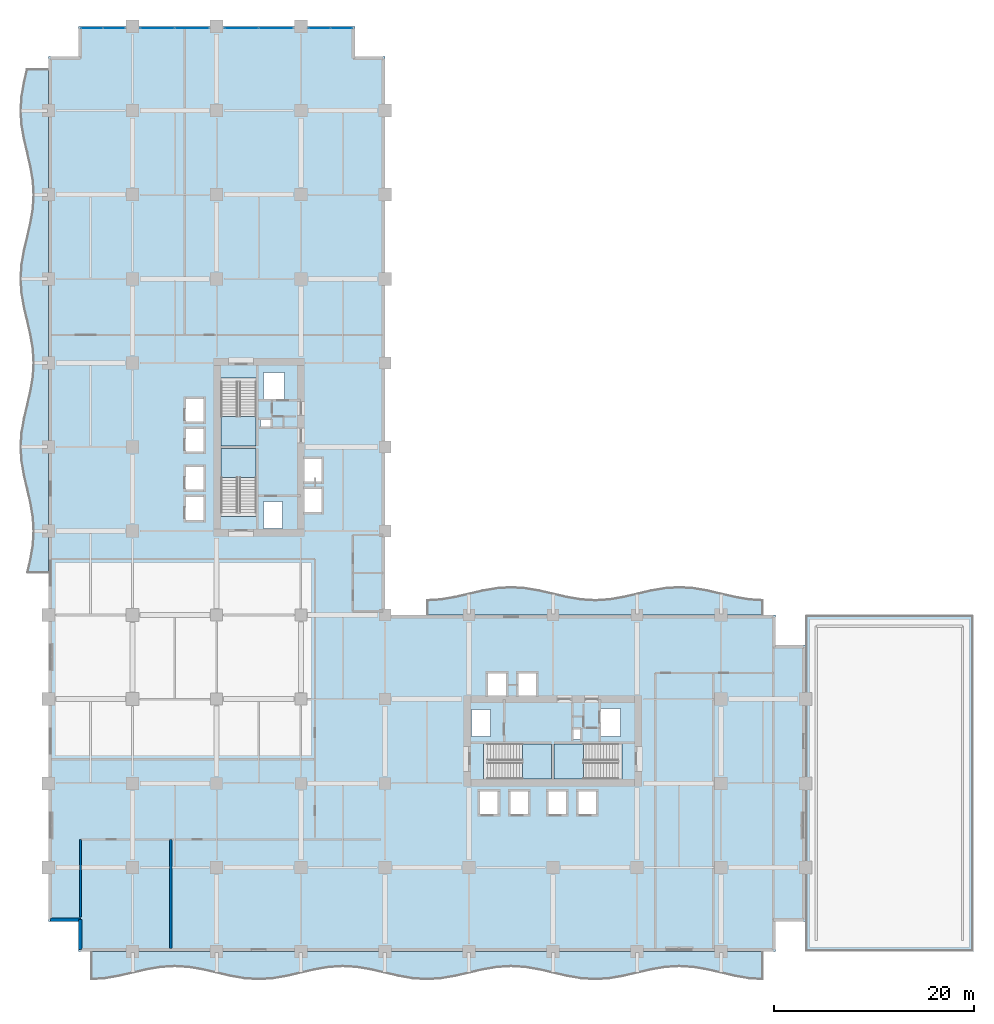
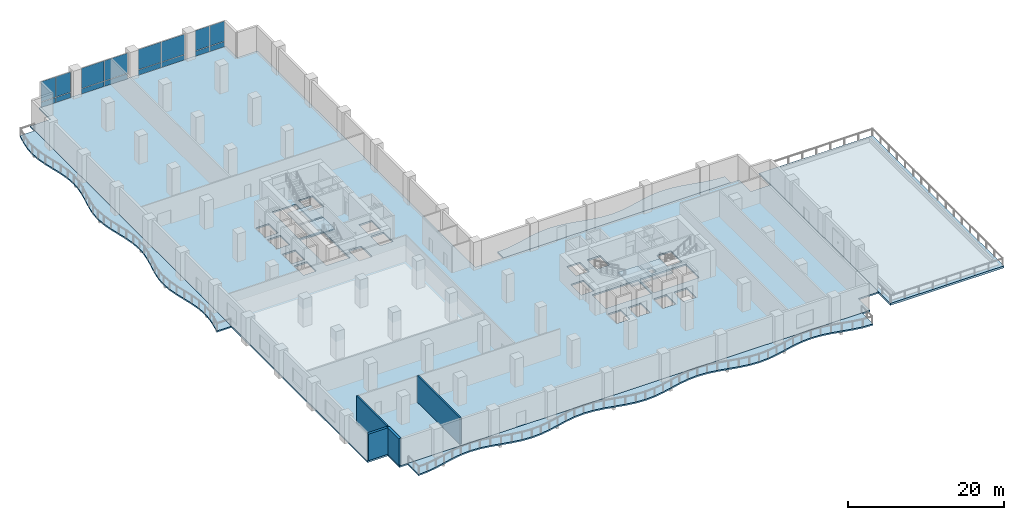
# One storey, part 6 of 21: 16 plates, 9 slabs, 4 walls, 8 elements without a shape of their own.
"""IFC4 building model written with IfcOpenShell, lengths in metres."""

from ifc_helpers import new_model, si_unit, direction, frame, frame_2d, origin, origin_2d, place, context, subcontext, project, spatial, polyline, rectangle, outline, extrude, material, layer, layer_set, type_object, element, aggregate, save


model = new_model("IFC4")

# Units and contexts
model_context = context("Model", 3, precision=1e-05, world=origin(), true_north=direction((0.0, 1.0)))
body_context = subcontext(model_context, "Body", "Model", "MODEL_VIEW")
ifc_project = project(units=[si_unit("LENGTHUNIT", "METRE"), si_unit("AREAUNIT", "SQUARE_METRE"), si_unit("VOLUMEUNIT", "CUBIC_METRE"), si_unit("PLANEANGLEUNIT", "RADIAN"), si_unit("MASSUNIT", "GRAM", prefix="KILO")], contexts=[model_context])

# Site, building, storey
site_placement = place(None, origin())
site = spatial("IfcSite", under=ifc_project, at=site_placement, CompositionType="ELEMENT")
building_placement = place(site_placement, origin())
building = spatial("IfcBuilding", under=site, at=building_placement, Name="Koriwani Terraces Tower", CompositionType="ELEMENT")
storey_placement = place(building_placement, frame((0.0, 0.0, 85.199951171875)))
storey = spatial("IfcBuildingStorey", under=building, at=storey_placement, Name="L20", CompositionType="ELEMENT", Elevation=85.199951171875)

# Curtain wall, plates
ifc_material_1 = material(Name="Anodised Bronze Aluminium", Category="aluminium")
ifc_layer_1 = layer(ifc_material_1, 0.179931640625, Name="Anodised Bronze Aluminium")
ifc_layer_set_1 = layer_set([ifc_layer_1], Name="Anodised Bronze Aluminium")
curtain_wall_type = type_object("IfcCurtainWallType", Name="CW_HOTEL_ZONE2", PredefinedType="NOTDEFINED", material=ifc_layer_set_1)
curtain_wall_1_placement = place(storey_placement, origin())
curtain_wall_1 = element("IfcCurtainWall", 1, at=curtain_wall_1_placement, inside=storey, type_object=curtain_wall_type, Name="L20 Unitised Curtain Wall (N_TIP) Bay 1", PredefinedType="NOTDEFINED")
ifc_material_2 = material(Name="Tempered Laminated Low-E Glass", Category="glass")
ifc_layer_2 = layer(ifc_material_2, 0.028076171875, Name="Tempered Laminated Low-E Glass")
ifc_layer_set_2 = layer_set([ifc_layer_2], Name="Tempered Laminated Low-E Glass")
plate_type = type_object("IfcPlateType", Name="CW_PANEL_VISION_28", PredefinedType="CURTAIN_PANEL", material=ifc_layer_set_2)
plate_1_placement = place(storey_placement, frame((4.322509765625, 92.22509765625, 0.06494140625), z_axis=(0.0, 0.0, 1.0), x_axis=(1.0, 0.0, 0.0)))
plate_1 = element("IfcPlate", 2, at=plate_1_placement, type_object=plate_type, Name="CW-Z2 panel 1.1", PredefinedType="CURTAIN_PANEL", context=body_context, shape_type="SweptSolid", body=[
    extrude(rectangle(XDim=2.14501953125, YDim=0.028076171875, at=origin_2d()), origin(), (0.0, 0.0, 1.0), 0.802490234375),
])
plate_2_placement = place(storey_placement, frame((4.322509765625, 92.22509765625, 0.9326171875), z_axis=(0.0, 0.0, 1.0), x_axis=(1.0, 0.0, 0.0)))
plate_2 = element("IfcPlate", 3, at=plate_2_placement, type_object=plate_type, Name="CW-Z2 panel 1.2", PredefinedType="CURTAIN_PANEL", context=body_context, shape_type="SweptSolid", body=[
    extrude(rectangle(XDim=2.14501953125, YDim=0.028076171875, at=origin_2d()), origin(), (0.0, 0.0, 1.0), 3.152587890625),
])
plate_3_placement = place(storey_placement, frame((6.54248046875, 92.22509765625, 0.06494140625), z_axis=(0.0, 0.0, 1.0), x_axis=(1.0, 0.0, 0.0)))
plate_3 = element("IfcPlate", 4, at=plate_3_placement, type_object=plate_type, Name="CW-Z2 panel 2.1", PredefinedType="CURTAIN_PANEL", context=body_context, shape_type="SweptSolid", body=[
    extrude(rectangle(XDim=2.14501953125, YDim=0.028076171875, at=origin_2d()), origin(), (0.0, 0.0, 1.0), 0.802490234375),
])
plate_4_placement = place(storey_placement, frame((6.54248046875, 92.22509765625, 0.9326171875), z_axis=(0.0, 0.0, 1.0), x_axis=(1.0, 0.0, 0.0)))
plate_4 = element("IfcPlate", 5, at=plate_4_placement, type_object=plate_type, Name="CW-Z2 panel 2.2", PredefinedType="CURTAIN_PANEL", context=body_context, shape_type="SweptSolid", body=[
    extrude(rectangle(XDim=2.14501953125, YDim=0.028076171875, at=origin_2d()), origin(), (0.0, 0.0, 1.0), 3.152587890625),
])
aggregate(curtain_wall_1, [plate_1, plate_2, plate_3, plate_4])

curtain_wall_2_placement = place(storey_placement, origin())
curtain_wall_2 = element("IfcCurtainWall", 6, at=curtain_wall_2_placement, inside=storey, type_object=curtain_wall_type, Name="L20 Unitised Curtain Wall (N_TIP) Bay 2", PredefinedType="NOTDEFINED")
plate_5_placement = place(storey_placement, frame((10.873779296875, 92.22509765625, 0.06494140625), z_axis=(0.0, 0.0, 1.0), x_axis=(1.0, 0.0, 0.0)))
plate_5 = element("IfcPlate", 7, at=plate_5_placement, type_object=plate_type, Name="CW-Z2 panel 1.1", PredefinedType="CURTAIN_PANEL", context=body_context, shape_type="SweptSolid", body=[
    extrude(rectangle(XDim=3.37744140625, YDim=0.028076171875, at=origin_2d()), origin(), (0.0, 0.0, 1.0), 0.802490234375),
])
plate_6_placement = place(storey_placement, frame((10.873779296875, 92.22509765625, 0.9326171875), z_axis=(0.0, 0.0, 1.0), x_axis=(1.0, 0.0, 0.0)))
plate_6 = element("IfcPlate", 8, at=plate_6_placement, type_object=plate_type, Name="CW-Z2 panel 1.2", PredefinedType="CURTAIN_PANEL", context=body_context, shape_type="SweptSolid", body=[
    extrude(rectangle(XDim=3.37744140625, YDim=0.028076171875, at=origin_2d()), origin(), (0.0, 0.0, 1.0), 3.152587890625),
])
plate_7_placement = place(storey_placement, frame((14.326171875, 92.22509765625, 0.06494140625), z_axis=(0.0, 0.0, 1.0), x_axis=(1.0, 0.0, 0.0)))
plate_7 = element("IfcPlate", 9, at=plate_7_placement, type_object=plate_type, Name="CW-Z2 panel 2.1", PredefinedType="CURTAIN_PANEL", context=body_context, shape_type="SweptSolid", body=[
    extrude(rectangle(XDim=3.37744140625, YDim=0.028076171875, at=origin_2d()), origin(), (0.0, 0.0, 1.0), 0.802490234375),
])
plate_8_placement = place(storey_placement, frame((14.326171875, 92.22509765625, 0.9326171875), z_axis=(0.0, 0.0, 1.0), x_axis=(1.0, 0.0, 0.0)))
plate_8 = element("IfcPlate", 10, at=plate_8_placement, type_object=plate_type, Name="CW-Z2 panel 2.2", PredefinedType="CURTAIN_PANEL", context=body_context, shape_type="SweptSolid", body=[
    extrude(rectangle(XDim=3.37744140625, YDim=0.028076171875, at=origin_2d()), origin(), (0.0, 0.0, 1.0), 3.152587890625),
])
aggregate(curtain_wall_2, [plate_5, plate_6, plate_7, plate_8])

curtain_wall_3_placement = place(storey_placement, origin())
curtain_wall_3 = element("IfcCurtainWall", 11, at=curtain_wall_3_placement, inside=storey, type_object=curtain_wall_type, Name="L20 Unitised Curtain Wall (N_TIP) Bay 3", PredefinedType="NOTDEFINED")
plate_9_placement = place(storey_placement, frame((19.273681640625, 92.22509765625, 0.06494140625), z_axis=(0.0, 0.0, 1.0), x_axis=(1.0, 0.0, 0.0)))
plate_9 = element("IfcPlate", 12, at=plate_9_placement, type_object=plate_type, Name="CW-Z2 panel 1.1", PredefinedType="CURTAIN_PANEL", context=body_context, shape_type="SweptSolid", body=[
    extrude(rectangle(XDim=3.37744140625, YDim=0.028076171875, at=origin_2d()), origin(), (0.0, 0.0, 1.0), 0.802490234375),
])
plate_10_placement = place(storey_placement, frame((19.273681640625, 92.22509765625, 0.9326171875), z_axis=(0.0, 0.0, 1.0), x_axis=(1.0, 0.0, 0.0)))
plate_10 = element("IfcPlate", 13, at=plate_10_placement, type_object=plate_type, Name="CW-Z2 panel 1.2", PredefinedType="CURTAIN_PANEL", context=body_context, shape_type="SweptSolid", body=[
    extrude(rectangle(XDim=3.37744140625, YDim=0.028076171875, at=origin_2d()), origin(), (0.0, 0.0, 1.0), 3.152587890625),
])
plate_11_placement = place(storey_placement, frame((22.726318359375, 92.22509765625, 0.06494140625), z_axis=(0.0, 0.0, 1.0), x_axis=(1.0, 0.0, 0.0)))
plate_11 = element("IfcPlate", 14, at=plate_11_placement, type_object=plate_type, Name="CW-Z2 panel 2.1", PredefinedType="CURTAIN_PANEL", context=body_context, shape_type="SweptSolid", body=[
    extrude(rectangle(XDim=3.37744140625, YDim=0.028076171875, at=origin_2d()), origin(), (0.0, 0.0, 1.0), 0.802490234375),
])
plate_12_placement = place(storey_placement, frame((22.726318359375, 92.22509765625, 0.9326171875), z_axis=(0.0, 0.0, 1.0), x_axis=(1.0, 0.0, 0.0)))
plate_12 = element("IfcPlate", 15, at=plate_12_placement, type_object=plate_type, Name="CW-Z2 panel 2.2", PredefinedType="CURTAIN_PANEL", context=body_context, shape_type="SweptSolid", body=[
    extrude(rectangle(XDim=3.37744140625, YDim=0.028076171875, at=origin_2d()), origin(), (0.0, 0.0, 1.0), 3.152587890625),
])
aggregate(curtain_wall_3, [plate_9, plate_10, plate_11, plate_12])

curtain_wall_4_placement = place(storey_placement, origin())
curtain_wall_4 = element("IfcCurtainWall", 16, at=curtain_wall_4_placement, inside=storey, type_object=curtain_wall_type, Name="L20 Unitised Curtain Wall (N_TIP) Bay 4", PredefinedType="NOTDEFINED")
plate_13_placement = place(storey_placement, frame((27.0576171875, 92.22509765625, 0.06494140625), z_axis=(0.0, 0.0, 1.0), x_axis=(1.0, 0.0, 0.0)))
plate_13 = element("IfcPlate", 17, at=plate_13_placement, type_object=plate_type, Name="CW-Z2 panel 1.1", PredefinedType="CURTAIN_PANEL", context=body_context, shape_type="SweptSolid", body=[
    extrude(rectangle(XDim=2.14501953125, YDim=0.028076171875, at=origin_2d()), origin(), (0.0, 0.0, 1.0), 0.802490234375),
])
plate_14_placement = place(storey_placement, frame((27.0576171875, 92.22509765625, 0.9326171875), z_axis=(0.0, 0.0, 1.0), x_axis=(1.0, 0.0, 0.0)))
plate_14 = element("IfcPlate", 18, at=plate_14_placement, type_object=plate_type, Name="CW-Z2 panel 1.2", PredefinedType="CURTAIN_PANEL", context=body_context, shape_type="SweptSolid", body=[
    extrude(rectangle(XDim=2.14501953125, YDim=0.028076171875, at=origin_2d()), origin(), (0.0, 0.0, 1.0), 3.152587890625),
])
plate_15_placement = place(storey_placement, frame((29.277587890625, 92.22509765625, 0.06494140625), z_axis=(0.0, 0.0, 1.0), x_axis=(1.0, 0.0, 0.0)))
plate_15 = element("IfcPlate", 19, at=plate_15_placement, type_object=plate_type, Name="CW-Z2 panel 2.1", PredefinedType="CURTAIN_PANEL", context=body_context, shape_type="SweptSolid", body=[
    extrude(rectangle(XDim=2.14501953125, YDim=0.028076171875, at=origin_2d()), origin(), (0.0, 0.0, 1.0), 0.802490234375),
])
plate_16_placement = place(storey_placement, frame((29.277587890625, 92.22509765625, 0.9326171875), z_axis=(0.0, 0.0, 1.0), x_axis=(1.0, 0.0, 0.0)))
plate_16 = element("IfcPlate", 20, at=plate_16_placement, type_object=plate_type, Name="CW-Z2 panel 2.2", PredefinedType="CURTAIN_PANEL", context=body_context, shape_type="SweptSolid", body=[
    extrude(rectangle(XDim=2.14501953125, YDim=0.028076171875, at=origin_2d()), origin(), (0.0, 0.0, 1.0), 3.152587890625),
])
aggregate(curtain_wall_4, [plate_13, plate_14, plate_15, plate_16])

# Slabs
ifc_material_3 = material(Name="Concrete C40/50", Category="concrete")
ifc_layer_3 = layer(ifc_material_3, 0.219970703125, Name="Concrete C40/50")
ifc_layer_set_3 = layer_set([ifc_layer_3], Name="Concrete C40/50")
slab_type_1 = type_object("IfcSlabType", Name="SLAB_BALCONY_220", PredefinedType="FLOOR", material=ifc_layer_set_3)
slab_1_placement = place(storey_placement, frame((0.0, 0.0, -0.219970703125)))
element("IfcSlab", 21, at=slab_1_placement, inside=storey, type_object=slab_type_1, Name="L20 Quilted Circular-Arc Balcony (S)", PredefinedType="FLOOR", context=body_context, shape_type="SweptSolid", body=[
    extrude(outline(polyline([(4.199951171875, 0.0), (5.60009765625, 0.0), (7.0, 0.0), (8.39990234375, 0.0), (9.800048828125, 0.0), (11.199951171875, 0.0), (12.60009765625, 0.0), (14.0, 0.0), (15.39990234375, 0.0), (16.800048828125, 0.0), (18.199951171875, 0.0), (19.60009765625, 0.0), (21.0, 0.0), (22.39990234375, 0.0), (23.800048828125, 0.0), (25.199951171875, 0.0), (26.60009765625, 0.0), (28.0, 0.0), (29.39990234375, 0.0), (30.800048828125, 0.0), (32.199951171875, 0.0), (33.60009765625, 0.0), (35.0, 0.0), (36.39990234375, 0.0), (37.800048828125, 0.0), (39.199951171875, 0.0), (40.60009765625, 0.0), (42.0, 0.0), (43.39990234375, 0.0), (44.800048828125, 0.0), (46.199951171875, 0.0), (47.60009765625, 0.0), (49.0, 0.0), (50.39990234375, 0.0), (51.800048828125, 0.0), (53.199951171875, 0.0), (54.60009765625, 0.0), (56.0, 0.0), (57.39990234375, 0.0), (58.800048828125, 0.0), (60.199951171875, 0.0), (61.60009765625, 0.0), (63.0, 0.0), (64.39990234375, 0.0), (65.800048828125, 0.0), (67.199951171875, 0.0), (68.60009765625, 0.0), (70.0, 0.0), (71.39990234375, 0.0), (71.39990234375, -2.85009765625), (70.0, -2.762939453125), (68.60009765625, -2.52490234375), (67.199951171875, -2.199951171875), (65.800048828125, -1.875), (64.39990234375, -1.63720703125), (63.0, -1.550048828125), (61.60009765625, -1.63720703125), (60.199951171875, -1.875), (58.800048828125, -2.199951171875), (57.39990234375, -2.52490234375), (56.0, -2.762939453125), (54.60009765625, -2.85009765625), (53.199951171875, -2.762939453125), (51.800048828125, -2.52490234375), (50.39990234375, -2.199951171875), (49.0, -1.875), (47.60009765625, -1.63720703125), (46.199951171875, -1.550048828125), (44.800048828125, -1.63720703125), (43.39990234375, -1.875), (42.0, -2.199951171875), (40.60009765625, -2.52490234375), (39.199951171875, -2.762939453125), (37.800048828125, -2.85009765625), (36.39990234375, -2.762939453125), (35.0, -2.52490234375), (33.60009765625, -2.199951171875), (32.199951171875, -1.875), (30.800048828125, -1.63720703125), (29.39990234375, -1.550048828125), (28.0, -1.63720703125), (26.60009765625, -1.875), (25.199951171875, -2.199951171875), (23.800048828125, -2.52490234375), (22.39990234375, -2.762939453125), (21.0, -2.85009765625), (19.60009765625, -2.762939453125), (18.199951171875, -2.52490234375), (16.800048828125, -2.199951171875), (15.39990234375, -1.875), (14.0, -1.63720703125), (12.60009765625, -1.550048828125), (11.199951171875, -1.63720703125), (9.800048828125, -1.875), (8.39990234375, -2.199951171875), (7.0, -2.52490234375), (5.60009765625, -2.762939453125), (4.199951171875, -2.85009765625), (4.199951171875, 0.0)])), origin(), (0.0, 0.0, 1.0), 0.219970703125),
])
slab_2_placement = place(storey_placement, frame((0.0, 0.0, -0.219970703125)))
element("IfcSlab", 22, at=slab_2_placement, inside=storey, type_object=slab_type_1, Name="L20 Quilted Circular-Arc Balcony (W)", PredefinedType="FLOOR", context=body_context, shape_type="SweptSolid", body=[
    extrude(outline(polyline([(0.0, 37.800048828125), (0.0, 39.199951171875), (0.0, 40.60009765625), (0.0, 42.0), (0.0, 43.39990234375), (0.0, 44.800048828125), (0.0, 46.199951171875), (0.0, 47.60009765625), (0.0, 49.0), (0.0, 50.39990234375), (0.0, 51.800048828125), (0.0, 53.199951171875), (0.0, 54.60009765625), (0.0, 56.0), (0.0, 57.39990234375), (0.0, 58.800048828125), (0.0, 60.199951171875), (0.0, 61.60009765625), (0.0, 63.0), (0.0, 64.39990234375), (0.0, 65.800048828125), (0.0, 67.199951171875), (0.0, 68.60009765625), (0.0, 70.0), (0.0, 71.39990234375), (0.0, 72.800048828125), (0.0, 74.199951171875), (0.0, 75.60009765625), (0.0, 77.0), (0.0, 78.39990234375), (0.0, 79.800048828125), (0.0, 81.199951171875), (0.0, 82.60009765625), (0.0, 84.0), (0.0, 85.39990234375), (0.0, 86.800048828125), (0.0, 88.199951171875), (-2.199951171875, 88.199951171875), (-2.52490234375, 86.800048828125), (-2.762939453125, 85.39990234375), (-2.85009765625, 84.0), (-2.762939453125, 82.60009765625), (-2.52490234375, 81.199951171875), (-2.199951171875, 79.800048828125), (-1.875, 78.39990234375), (-1.63720703125, 77.0), (-1.550048828125, 75.60009765625), (-1.63720703125, 74.199951171875), (-1.875, 72.800048828125), (-2.199951171875, 71.39990234375), (-2.52490234375, 70.0), (-2.762939453125, 68.60009765625), (-2.85009765625, 67.199951171875), (-2.762939453125, 65.800048828125), (-2.52490234375, 64.39990234375), (-2.199951171875, 63.0), (-1.875, 61.60009765625), (-1.63720703125, 60.199951171875), (-1.550048828125, 58.800048828125), (-1.63720703125, 57.39990234375), (-1.875, 56.0), (-2.199951171875, 54.60009765625), (-2.52490234375, 53.199951171875), (-2.762939453125, 51.800048828125), (-2.85009765625, 50.39990234375), (-2.762939453125, 49.0), (-2.52490234375, 47.60009765625), (-2.199951171875, 46.199951171875), (-1.875, 44.800048828125), (-1.63720703125, 43.39990234375), (-1.550048828125, 42.0), (-1.63720703125, 40.60009765625), (-1.875, 39.199951171875), (-2.199951171875, 37.800048828125), (0.0, 37.800048828125)])), origin(), (0.0, 0.0, 1.0), 0.219970703125),
])
slab_3_placement = place(storey_placement, frame((0.0, 0.0, -0.219970703125)))
element("IfcSlab", 23, at=slab_3_placement, inside=storey, type_object=slab_type_1, Name="L20 Quilted Circular-Arc Balcony (NE)", PredefinedType="FLOOR", context=body_context, shape_type="SweptSolid", body=[
    extrude(outline(polyline([(71.39990234375, 33.60009765625), (70.0, 33.60009765625), (68.60009765625, 33.60009765625), (67.199951171875, 33.60009765625), (65.800048828125, 33.60009765625), (64.39990234375, 33.60009765625), (63.0, 33.60009765625), (61.60009765625, 33.60009765625), (60.199951171875, 33.60009765625), (58.800048828125, 33.60009765625), (57.39990234375, 33.60009765625), (56.0, 33.60009765625), (54.60009765625, 33.60009765625), (53.199951171875, 33.60009765625), (51.800048828125, 33.60009765625), (50.39990234375, 33.60009765625), (49.0, 33.60009765625), (47.60009765625, 33.60009765625), (46.199951171875, 33.60009765625), (44.800048828125, 33.60009765625), (43.39990234375, 33.60009765625), (42.0, 33.60009765625), (40.60009765625, 33.60009765625), (39.199951171875, 33.60009765625), (37.800048828125, 33.60009765625), (37.800048828125, 35.14990234375), (39.199951171875, 35.237060546875), (40.60009765625, 35.47509765625), (42.0, 35.800048828125), (43.39990234375, 36.125), (44.800048828125, 36.36279296875), (46.199951171875, 36.449951171875), (47.60009765625, 36.36279296875), (49.0, 36.125), (50.39990234375, 35.800048828125), (51.800048828125, 35.47509765625), (53.199951171875, 35.237060546875), (54.60009765625, 35.14990234375), (56.0, 35.237060546875), (57.39990234375, 35.47509765625), (58.800048828125, 35.800048828125), (60.199951171875, 36.125), (61.60009765625, 36.36279296875), (63.0, 36.449951171875), (64.39990234375, 36.36279296875), (65.800048828125, 36.125), (67.199951171875, 35.800048828125), (68.60009765625, 35.47509765625), (70.0, 35.237060546875), (71.39990234375, 35.14990234375), (71.39990234375, 33.60009765625)])), origin(), (0.0, 0.0, 1.0), 0.219970703125),
])
ifc_material_4 = material(Name="Concrete C50/60", Category="concrete")
ifc_layer_4 = layer(ifc_material_4, 0.320068359375, Name="Concrete C50/60")
ifc_layer_set_4 = layer_set([ifc_layer_4], Name="Concrete C50/60")
slab_type_2 = type_object("IfcSlabType", Name="SLAB_SKY_TERRACE_ROOF_320", PredefinedType="ROOF", material=ifc_layer_set_4)
slab_4_placement = place(storey_placement, frame((0.0, 0.0, -0.320068359375)))
element("IfcSlab", 24, at=slab_4_placement, inside=storey, type_object=slab_type_2, Name="L20 Planted Sky-Garden Setback Terrace Slab", PredefinedType="ROOF", context=body_context, shape_type="SweptSolid", body=[
    extrude(outline(polyline([(75.60009765625, 0.0), (92.39990234375, 0.0), (92.39990234375, 33.60009765625), (75.60009765625, 33.60009765625), (75.60009765625, 0.0)])), origin(), (0.0, 0.0, 1.0), 0.320068359375),
])

# Stair, slab
stair_type = type_object("IfcStairType", Name="STAIR_CORE_DOGLEG_1650", PredefinedType="TWO_STRAIGHT_RUN_STAIR", material=ifc_material_3)
stair_1_placement = place(storey_placement, origin())
stair_1 = element("IfcStair", 25, at=stair_1_placement, inside=storey, type_object=stair_type, Name="L20 West Core Exit Stair 1", PredefinedType="HALF_TURN_STAIR")
ifc_layer_5 = layer(ifc_material_3, 0.199951171875, Name="Concrete C40/50")
ifc_layer_set_5 = layer_set([ifc_layer_5], Name="Concrete C40/50")
slab_type_3 = type_object("IfcSlabType", Name="SLAB_STAIR_LANDING_200", PredefinedType="LANDING", material=ifc_layer_set_5)
slab_5_placement = place(storey_placement, frame((0.0, 0.0, 2.0)))
slab_5 = element("IfcSlab", 26, at=slab_5_placement, type_object=slab_type_3, Name="ST-W1 landing 1", PredefinedType="LANDING", context=body_context, shape_type="SweptSolid", body=[
    extrude(outline(polyline([(20.75, 47.330078125), (20.75, 50.25), (17.25, 50.25), (17.25, 47.330078125), (20.75, 47.330078125)])), origin(), (0.0, 0.0, 1.0), 0.199951171875),
])
aggregate(stair_1, [slab_5])

stair_2_placement = place(storey_placement, origin())
stair_2 = element("IfcStair", 27, at=stair_2_placement, inside=storey, type_object=stair_type, Name="L20 West Core Exit Stair 2", PredefinedType="HALF_TURN_STAIR")
slab_6_placement = place(storey_placement, frame((0.0, 0.0, 2.0)))
slab_6 = element("IfcSlab", 28, at=slab_6_placement, type_object=slab_type_3, Name="ST-W2 landing 1", PredefinedType="LANDING", context=body_context, shape_type="SweptSolid", body=[
    extrude(outline(polyline([(17.25, 53.419921875), (17.25, 50.5), (20.75, 50.5), (20.75, 53.419921875), (17.25, 53.419921875)])), origin(), (0.0, 0.0, 1.0), 0.199951171875),
])
aggregate(stair_2, [slab_6])

stair_3_placement = place(storey_placement, origin())
stair_3 = element("IfcStair", 29, at=stair_3_placement, inside=storey, type_object=stair_type, Name="L20 East Core Exit Stair 1", PredefinedType="HALF_TURN_STAIR")
slab_7_placement = place(storey_placement, frame((0.0, 0.0, 2.0)))
slab_7 = element("IfcSlab", 30, at=slab_7_placement, type_object=slab_type_3, Name="ST-E1 landing 1", PredefinedType="LANDING", context=body_context, shape_type="SweptSolid", body=[
    extrude(outline(polyline([(47.330078125, 17.25), (50.25, 17.25), (50.25, 20.75), (47.330078125, 20.75), (47.330078125, 17.25)])), origin(), (0.0, 0.0, 1.0), 0.199951171875),
])
aggregate(stair_3, [slab_7])

stair_4_placement = place(storey_placement, origin())
stair_4 = element("IfcStair", 31, at=stair_4_placement, inside=storey, type_object=stair_type, Name="L20 East Core Exit Stair 2", PredefinedType="HALF_TURN_STAIR")
slab_8_placement = place(storey_placement, frame((0.0, 0.0, 2.0)))
slab_8 = element("IfcSlab", 32, at=slab_8_placement, type_object=slab_type_3, Name="ST-E2 landing 1", PredefinedType="LANDING", context=body_context, shape_type="SweptSolid", body=[
    extrude(outline(polyline([(53.419921875, 20.75), (50.5, 20.75), (50.5, 17.25), (53.419921875, 17.25), (53.419921875, 20.75)])), origin(), (0.0, 0.0, 1.0), 0.199951171875),
])
aggregate(stair_4, [slab_8])

# Slab
ifc_layer_6 = layer(ifc_material_3, 0.25, Name="Concrete C40/50")
ifc_layer_set_6 = layer_set([ifc_layer_6], Name="Concrete C40/50")
slab_type_4 = type_object("IfcSlabType", Name="SLAB_TOWER_TYP_250", PredefinedType="FLOOR", material=ifc_layer_set_6)
slab_9_placement = place(storey_placement, frame((0.0, 0.0, -0.25)))
element("IfcSlab", 33, at=slab_9_placement, inside=storey, type_object=slab_type_4, Name="L20 Structural Floor Slab", PredefinedType="FLOOR", context=body_context, shape_type="SweptSolid", body=[
    extrude(outline(polyline([(3.0, 0.0), (72.60009765625, 0.0), (72.60009765625, 3.0), (75.60009765625, 3.0), (75.60009765625, 30.60009765625), (72.60009765625, 30.60009765625), (72.60009765625, 33.60009765625), (33.60009765625, 33.60009765625), (33.60009765625, 89.39990234375), (30.60009765625, 89.39990234375), (30.60009765625, 92.39990234375), (3.0, 92.39990234375), (3.0, 89.39990234375), (0.0, 89.39990234375), (0.0, 3.0), (3.0, 3.0), (3.0, 0.0)]), holes=[polyline([(17.25, 43.4599609375), (20.75, 43.4599609375), (20.75, 50.25), (17.25, 50.25), (17.25, 43.4599609375)]), polyline([(17.25, 50.5), (20.75, 50.5), (20.75, 57.2900390625), (17.25, 57.2900390625), (17.25, 50.5)]), polyline([(43.4599609375, 17.25), (50.25, 17.25), (50.25, 20.75), (43.4599609375, 20.75), (43.4599609375, 17.25)]), polyline([(50.5, 17.25), (57.2900390625, 17.25), (57.2900390625, 20.75), (50.5, 20.75), (50.5, 17.25)]), polyline([(13.64990234375, 43.050048828125), (15.550048828125, 43.050048828125), (15.550048828125, 45.449951171875), (13.64990234375, 45.449951171875), (13.64990234375, 43.050048828125)]), polyline([(13.64990234375, 46.050048828125), (15.550048828125, 46.050048828125), (15.550048828125, 48.449951171875), (13.64990234375, 48.449951171875), (13.64990234375, 46.050048828125)]), polyline([(43.050048828125, 13.64990234375), (44.949951171875, 13.64990234375), (44.949951171875, 16.050048828125), (43.050048828125, 16.050048828125), (43.050048828125, 13.64990234375)]), polyline([(46.050048828125, 13.64990234375), (47.949951171875, 13.64990234375), (47.949951171875, 16.050048828125), (46.050048828125, 16.050048828125), (46.050048828125, 13.64990234375)]), polyline([(13.64990234375, 49.85009765625), (15.550048828125, 49.85009765625), (15.550048828125, 52.25), (13.64990234375, 52.25), (13.64990234375, 49.85009765625)]), polyline([(13.64990234375, 52.85009765625), (15.550048828125, 52.85009765625), (15.550048828125, 55.25), (13.64990234375, 55.25), (13.64990234375, 52.85009765625)]), polyline([(49.85009765625, 13.64990234375), (51.75, 13.64990234375), (51.75, 16.050048828125), (49.85009765625, 16.050048828125), (49.85009765625, 13.64990234375)]), polyline([(52.85009765625, 13.64990234375), (54.75, 13.64990234375), (54.75, 16.050048828125), (52.85009765625, 16.050048828125), (52.85009765625, 13.64990234375)]), polyline([(25.449951171875, 43.85009765625), (27.35009765625, 43.85009765625), (27.35009765625, 46.25), (25.449951171875, 46.25), (25.449951171875, 43.85009765625)]), polyline([(25.449951171875, 46.85009765625), (27.35009765625, 46.85009765625), (27.35009765625, 49.25), (25.449951171875, 49.25), (25.449951171875, 46.85009765625)]), polyline([(43.85009765625, 25.449951171875), (45.75, 25.449951171875), (45.75, 27.85009765625), (43.85009765625, 27.85009765625), (43.85009765625, 25.449951171875)]), polyline([(46.85009765625, 25.449951171875), (48.75, 25.449951171875), (48.75, 27.85009765625), (46.85009765625, 27.85009765625), (46.85009765625, 25.449951171875)]), polyline([(21.449951171875, 55.050048828125), (23.550048828125, 55.050048828125), (23.550048828125, 57.85009765625), (21.449951171875, 57.85009765625), (21.449951171875, 55.050048828125)]), polyline([(55.050048828125, 21.449951171875), (57.14990234375, 21.449951171875), (57.14990234375, 24.25), (55.050048828125, 24.25), (55.050048828125, 21.449951171875)]), polyline([(21.449951171875, 42.25), (23.35009765625, 42.25), (23.35009765625, 44.949951171875), (21.449951171875, 44.949951171875), (21.449951171875, 42.25)]), polyline([(42.25, 21.449951171875), (44.14990234375, 21.449951171875), (44.14990234375, 24.14990234375), (42.25, 24.14990234375), (42.25, 21.449951171875)]), polyline([(21.14990234375, 52.419921875), (22.219970703125, 52.419921875), (22.219970703125, 53.179931640625), (21.14990234375, 53.179931640625), (21.14990234375, 52.419921875)]), polyline([(52.419921875, 21.14990234375), (53.179931640625, 21.14990234375), (53.179931640625, 22.219970703125), (52.419921875, 22.219970703125), (52.419921875, 21.14990234375)])]), origin(), (0.0, 0.0, 1.0), 0.25),
])

# Walls
ifc_material_5 = material(Name="Autoclaved Cellular Concrete Blockwork", Category="masonry")
ifc_layer_7 = layer(ifc_material_5, 0.219970703125, Name="Autoclaved Cellular Concrete Blockwork")
ifc_layer_set_7 = layer_set([ifc_layer_7], Name="Autoclaved Cellular Concrete Blockwork")
wall_type_1 = type_object("IfcWallType", Name="WALL_DEMISING_220", PredefinedType="PARTITIONING", material=ifc_layer_set_7)
wall_1_placement = place(storey_placement, frame((3.199951171875, 3.449951171875, 0.0), z_axis=(0.0, 0.0, 1.0), x_axis=(0.0, 1.0, 0.0)))
element("IfcWall", 34, at=wall_1_placement, inside=storey, type_object=wall_type_1, Name="L20 Interior Wall WSKY-SPW-L20", PredefinedType="PARTITIONING", context=body_context, shape_type="SweptSolid", body=[
    extrude(rectangle(XDim=7.75, YDim=0.219970703125, at=frame_2d((3.875, 0.0))), origin(), (0.0, 0.0, 1.0), 4.150146484375),
])
wall_2_placement = place(storey_placement, frame((12.199951171875, 0.300048828125, 0.0), z_axis=(0.0, 0.0, 1.0), x_axis=(0.0, 1.0, 0.0)))
element("IfcWall", 35, at=wall_2_placement, inside=storey, type_object=wall_type_1, Name="L20 Interior Wall WSKY-SPM-L20", PredefinedType="PARTITIONING", context=body_context, shape_type="SweptSolid", body=[
    extrude(rectangle(XDim=10.89990234375, YDim=0.219970703125, at=frame_2d((5.449951171875, 0.0))), origin(), (0.0, 0.0, 1.0), 4.150146484375),
])
ifc_layer_8 = layer(ifc_material_4, 0.35009765625, Name="Concrete C50/60")
ifc_layer_set_8 = layer_set([ifc_layer_8], Name="Concrete C50/60")
wall_type_2 = type_object("IfcWallType", Name="WALL_EXT_BRUTALIST_350", PredefinedType="STANDARD", material=ifc_layer_set_8)
for number, where, z_axis, x_axis, name in (
    (36, (3.175048828125, 0.175048828125, 0.0), (0.0, 0.0, 1.0), (0.0, 1.0, 0.0), "L20 Fair-Faced Brutalist Exterior Wall (N0)"),
    (37, (3.175048828125, 3.175048828125, 0.0), (0.0, 0.0, 1.0), (-1.0, 0.0, 0.0), "L20 Fair-Faced Brutalist Exterior Wall (N1)"),
):
    element("IfcWall", number, at=place(storey_placement, frame(where, z_axis=z_axis, x_axis=x_axis)), inside=storey, type_object=wall_type_2, Name=name, PredefinedType="STANDARD", context=body_context, shape_type="SweptSolid", body=[
        extrude(rectangle(XDim=3.0, YDim=0.35009765625, at=frame_2d((1.5, 0.0))), origin(), (0.0, 0.0, 1.0), 4.150146484375),
    ])

save(model, "model.ifc")
